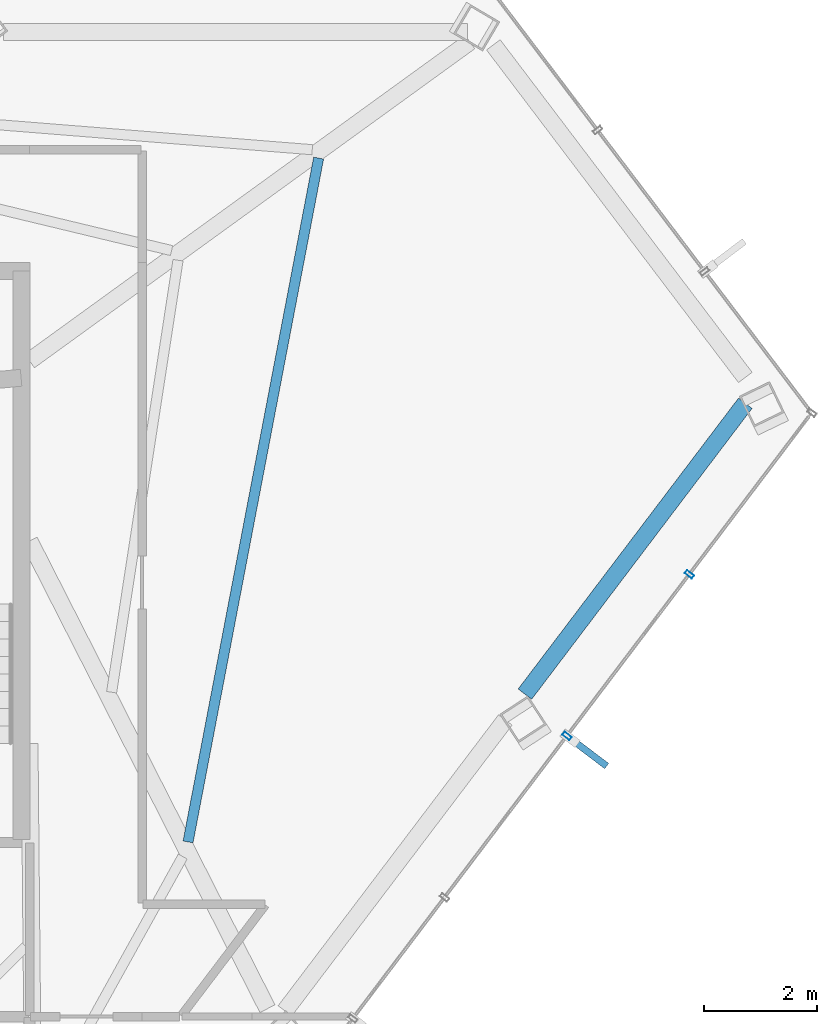
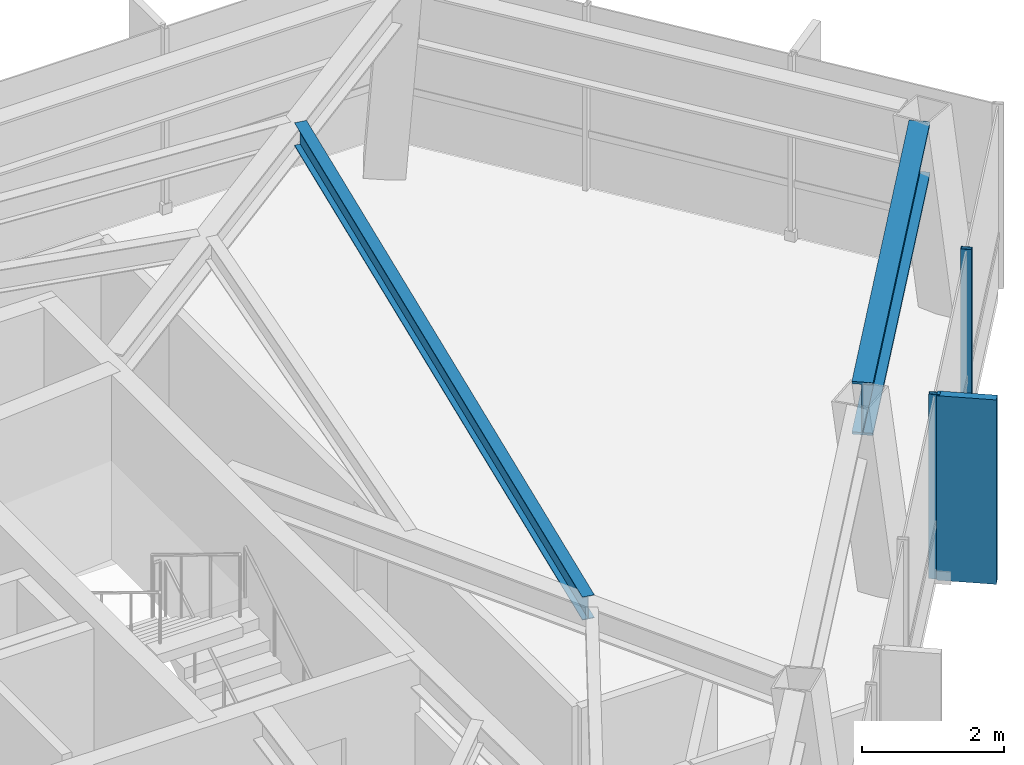
# One storey, part 19 of 27: 3 members, 2 beams, 1 element without a shape of its own.
"""IFC4 building model written with IfcOpenShell, lengths in metres."""

from ifc_helpers import new_model, si_unit, direction, frame, origin, origin_2d, place, context, subcontext, project, spatial, rectangle, hollow_rectangle, i_section, extrude, material, layer, layer_set, material_profile, profile_set, type_object, element, aggregate, save


model = new_model("IFC4")

# Units and contexts
model_context = context("Model", 3, precision=1e-05, world=origin(), true_north=direction((0.0, 1.0)))
body_context = subcontext(model_context, "Body", "Model", "MODEL_VIEW")
ifc_project = project(units=[si_unit("LENGTHUNIT", "METRE"), si_unit("AREAUNIT", "SQUARE_METRE"), si_unit("VOLUMEUNIT", "CUBIC_METRE"), si_unit("PLANEANGLEUNIT", "RADIAN"), si_unit("MASSUNIT", "GRAM", prefix="KILO")], contexts=[model_context])

# Site, building, storey
site_placement = place(None, origin())
site = spatial("IfcSite", under=ifc_project, at=site_placement, CompositionType="ELEMENT")
building_placement = place(site_placement, origin())
building = spatial("IfcBuilding", under=site, at=building_placement, Name="Zarrinselat Tower", CompositionType="ELEMENT")
storey_placement = place(building_placement, frame((0.0, 0.0, 215.56005859375)))
storey = spatial("IfcBuildingStorey", under=building, at=storey_placement, Name="L53", CompositionType="ELEMENT", Elevation=215.56005859375)

# Beams
ifc_material_1 = material(Name="Steel S460M", Category="steel")
ifc_material_profile_1 = material_profile(ifc_material_1, i_section(OverallWidth=0.302001953125, OverallDepth=0.909912109375, WebThickness=0.02099609375, FlangeThickness=0.0400390625, at=origin_2d()), Name="HEM 900")
ifc_profile_set_1 = profile_set([ifc_material_profile_1], Name="Steel S460M")
beam_type_1 = type_object("IfcBeamType", Name="BM-HEM900", PredefinedType="BEAM", material=ifc_profile_set_1)
beam_1_placement = place(storey_placement, frame((57.15087890625, 35.87890625, 2.724853515625), z_axis=(0.603878711073, 0.797076221144, 0.0), x_axis=(-0.797076221144, 0.603878711073, 0.0)))
element("IfcBeam", 1, at=beam_1_placement, inside=storey, type_object=beam_type_1, Name="L53 Perimeter Spandrel Girder SP14", PredefinedType="BEAM", context=body_context, shape_type="SweptSolid", body=[
    extrude(i_section(OverallWidth=0.302001953125, OverallDepth=0.909912109375, WebThickness=0.02099609375, FlangeThickness=0.0400390625, at=origin_2d()), origin(), (0.0, 0.0, 1.0), 6.48388671875),
])
ifc_material_2 = material(Name="Steel S355J2", Category="steel")
ifc_material_profile_2 = material_profile(ifc_material_2, i_section(OverallWidth=0.179931640625, OverallDepth=0.39990234375, WebThickness=0.008544921875, FlangeThickness=0.013427734375, at=origin_2d()), Name="IPE 400")
ifc_profile_set_2 = profile_set([ifc_material_profile_2], Name="Steel S355J2")
beam_type_2 = type_object("IfcBeamType", Name="BM-IPE400", PredefinedType="JOIST", material=ifc_profile_set_2)
beam_2_placement = place(storey_placement, frame((51.166015625, 33.253662109375, 2.97998046875), z_axis=(0.187575576194, 0.982250173436, 0.0), x_axis=(-0.982250173436, 0.187575576194, 0.0)))
element("IfcBeam", 2, at=beam_2_placement, inside=storey, type_object=beam_type_2, Name="L53 Composite Floor Joist 5-1", PredefinedType="JOIST", context=body_context, shape_type="SweptSolid", body=[
    extrude(i_section(OverallWidth=0.179931640625, OverallDepth=0.39990234375, WebThickness=0.008544921875, FlangeThickness=0.013427734375, at=origin_2d()), origin(), (0.0, 0.0, 1.0), 12.36865234375),
])

# Curtain wall, members
ifc_material_3 = material(Name="Extruded Aluminium Alloy EN AW-6063 T6", Category="aluminium")
ifc_layer = layer(ifc_material_3, 0.169921875)
ifc_layer_set = layer_set([ifc_layer], Name="Extruded Aluminium Alloy EN AW-6063 T6")
curtain_wall_type = type_object("IfcCurtainWallType", Name="CWS-RES", PredefinedType="NOTDEFINED", material=ifc_layer_set)
curtain_wall_placement = place(storey_placement, origin())
curtain_wall = element("IfcCurtainWall", 3, at=curtain_wall_placement, inside=storey, type_object=curtain_wall_type, Name="L53 Unitised Curtain Wall CW-L53-E05", PredefinedType="NOTDEFINED")
ifc_material_4 = material(Name="Extruded Aluminium Alloy EN AW-6063 T6", Category="aluminium")
ifc_material_profile_3 = material_profile(ifc_material_4, hollow_rectangle(XDim=0.070068359375, YDim=0.159912109375, WallThickness=0.00390625, at=origin_2d()), Name="RHS 160x70x4")
ifc_profile_set_3 = profile_set([ifc_material_profile_3], Name="Extruded Aluminium Alloy EN AW-6063 T6")
member_type_1 = type_object("IfcMemberType", Name="MEM-CW-MUL2", PredefinedType="MULLION", material=ifc_profile_set_3)
member_1_placement = place(storey_placement, frame((57.898681640625, 35.1357421875, 0.0), z_axis=(0.0, 0.0, 1.0), x_axis=(0.603859492128, 0.797090781384, 0.0)))
member_1 = element("IfcMember", 4, at=member_1_placement, type_object=member_type_1, Name="CW-L53-E05 Mullion 7", PredefinedType="MULLION", context=body_context, shape_type="SweptSolid", body=[
    extrude(hollow_rectangle(XDim=0.070068359375, YDim=0.159912109375, WallThickness=0.00390625, at=origin_2d()), origin(), (0.0, 0.0, 1.0), 3.179931640625),
])
member_2_placement = place(storey_placement, frame((60.073486328125, 38.006591796875, 0.0), z_axis=(0.0, 0.0, 1.0), x_axis=(0.603859492128, 0.797090781384, 0.0)))
member_2 = element("IfcMember", 5, at=member_2_placement, type_object=member_type_1, Name="CW-L53-E05 Mullion 8", PredefinedType="MULLION", context=body_context, shape_type="SweptSolid", body=[
    extrude(hollow_rectangle(XDim=0.070068359375, YDim=0.159912109375, WallThickness=0.00390625, at=origin_2d()), origin(), (0.0, 0.0, 1.0), 3.179931640625),
])
ifc_material_5 = material(Name="Honed Cream Travertine Stone", Category="masonry")
ifc_material_profile_4 = material_profile(ifc_material_5, rectangle(XDim=0.1201171875, YDim=0.85009765625, at=origin_2d()), Name="FIN 850x120")
ifc_profile_set_4 = profile_set([ifc_material_profile_4], Name="Honed Cream Travertine Stone")
member_type_2 = type_object("IfcMemberType", Name="MEM-STONE-FIN", PredefinedType="USERDEFINED", material=ifc_profile_set_4)
member_3_placement = place(storey_placement, frame((58.265380859375, 34.85791015625, 0.0), z_axis=(0.0, 0.0, 1.0), x_axis=(-0.603859492128, -0.797090781384, 0.0)))
member_3 = element("IfcMember", 6, at=member_3_placement, type_object=member_type_2, Name="L53 Stone Shading Fin CW-L53-E05-07", ObjectType="FIN", PredefinedType="USERDEFINED", context=body_context, shape_type="SweptSolid", body=[
    extrude(rectangle(XDim=0.1201171875, YDim=0.85009765625, at=origin_2d()), origin(), (0.0, 0.0, 1.0), 3.179931640625),
])
aggregate(curtain_wall, [member_1, member_3, member_2])

save(model, "model.ifc")
